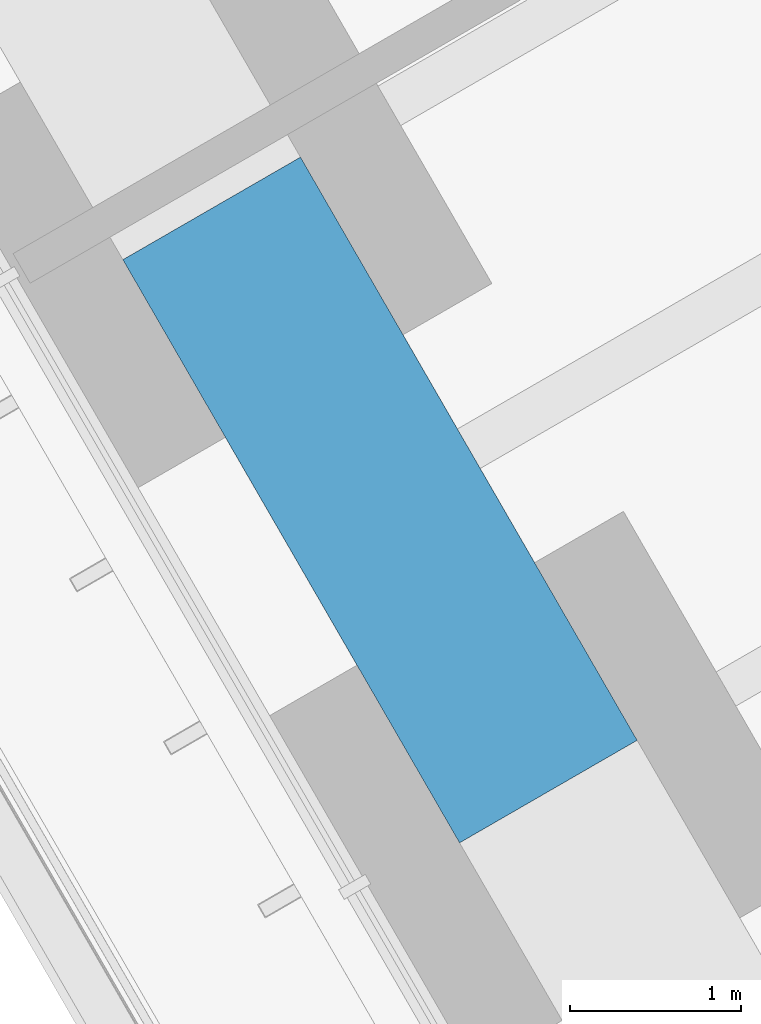
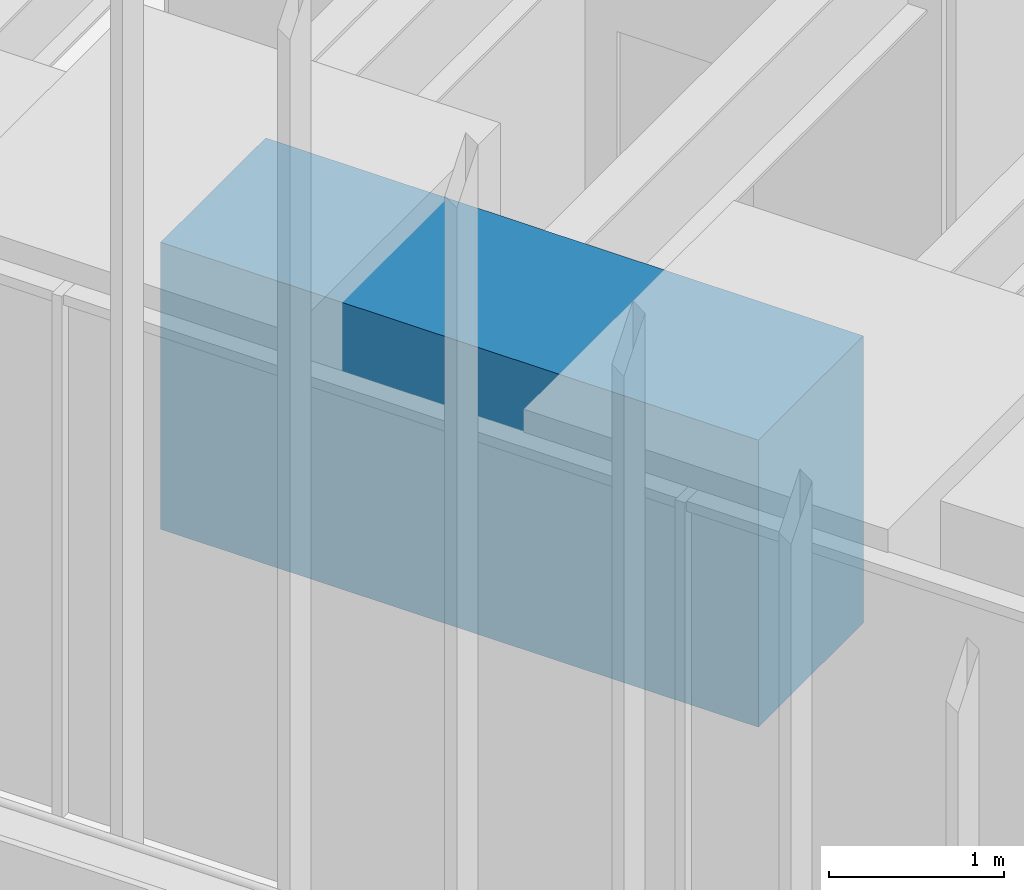
# One storey, part 45 of 238: 1 beam.
"""IFC4 building model written with IfcOpenShell, lengths in metres."""

from ifc_helpers import new_model, si_unit, direction, frame, origin, origin_2d, place, context, subcontext, project, spatial, rectangle, extrude, material, material_profile, profile_set, type_object, element, save


model = new_model("IFC4")

# Units and contexts
model_context = context("Model", 3, precision=1e-05, world=origin(), true_north=direction((0.0, 1.0)))
body_context = subcontext(model_context, "Body", "Model", "MODEL_VIEW")
ifc_project = project(units=[si_unit("LENGTHUNIT", "METRE"), si_unit("AREAUNIT", "SQUARE_METRE"), si_unit("VOLUMEUNIT", "CUBIC_METRE"), si_unit("PLANEANGLEUNIT", "RADIAN"), si_unit("MASSUNIT", "GRAM", prefix="KILO")], contexts=[model_context])

# Site, building, storey
site_placement = place(None, origin())
site = spatial("IfcSite", under=ifc_project, at=site_placement, CompositionType="ELEMENT")
building_placement = place(site_placement, origin())
building = spatial("IfcBuilding", under=site, at=building_placement, Name="Sandreach Pilgrim Tower", CompositionType="ELEMENT")
storey_placement = place(building_placement, frame((0.0, 0.0, 96.800048828125)))
storey = spatial("IfcBuildingStorey", under=building, at=storey_placement, Name="L23", CompositionType="ELEMENT", Elevation=96.800048828125)

# Beam
ifc_material = material(Name="Concrete 10000 psi", Category="concrete")
ifc_material_profile = material_profile(ifc_material, rectangle(XDim=1.199951171875, YDim=2.0, at=origin_2d()), Name="RC1200X2000")
ifc_profile_set = profile_set([ifc_material_profile], Name="Concrete 10000 psi")
beam_type = type_object("IfcBeamType", Name="Spandrel beam RC1200X2000", PredefinedType="SPANDREL", material=ifc_profile_set)
beam_placement = place(storey_placement, frame((-19.3740234375, -8.910888671875, 2.639892578125), z_axis=(-0.49999779889, 0.866026674592, 0.0), x_axis=(-0.866026674592, -0.49999779889, 0.0)))
element("IfcBeam", 1, at=beam_placement, inside=storey, type_object=beam_type, Name="BM L23 SP31", PredefinedType="SPANDREL", context=body_context, shape_type="SweptSolid", body=[
    extrude(rectangle(XDim=1.199951171875, YDim=2.0, at=origin_2d()), origin(), (0.0, 0.0, 1.0), 3.93994140625),
])

save(model, "model.ifc")
